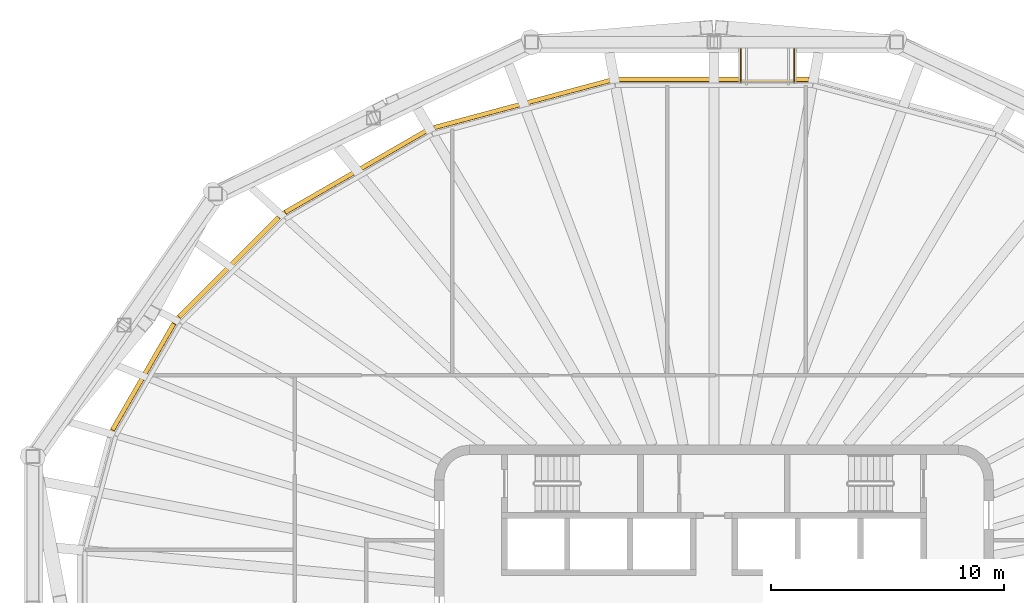
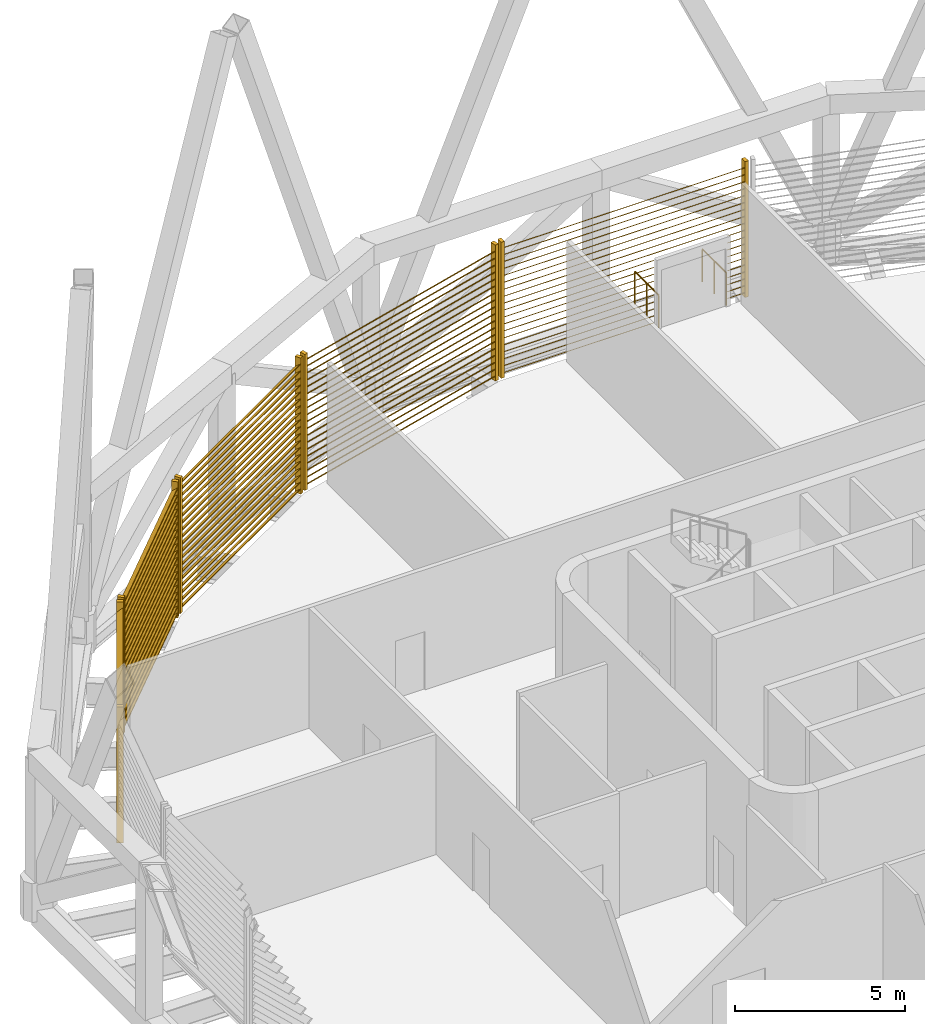
# One storey, part 15 of 16: 5 shading devices, 2 railings.
"""IFC4 building model written with IfcOpenShell, lengths in metres."""

from ifc_helpers import new_model, si_unit, direction, frame, origin, origin_2d, place, context, subcontext, project, spatial, rectangle, circle, extrude, material, type_object, element, save


model = new_model("IFC4")

# Units and contexts
model_context = context("Model", 3, precision=1e-05, world=origin(), true_north=direction((0.0, 1.0)))
body_context = subcontext(model_context, "Body", "Model", "MODEL_VIEW")
ifc_project = project(units=[si_unit("LENGTHUNIT", "METRE"), si_unit("AREAUNIT", "SQUARE_METRE"), si_unit("VOLUMEUNIT", "CUBIC_METRE"), si_unit("PLANEANGLEUNIT", "RADIAN"), si_unit("MASSUNIT", "GRAM", prefix="KILO")], contexts=[model_context])

# Site, building, storey
site_placement = place(None, origin())
site = spatial("IfcSite", under=ifc_project, at=site_placement, CompositionType="ELEMENT")
building_placement = place(site_placement, origin())
building = spatial("IfcBuilding", under=site, at=building_placement, Name="Sahrelin Media Tower", CompositionType="ELEMENT")
storey_placement = place(building_placement, frame((0.0, 0.0, 299.0)))
storey = spatial("IfcBuildingStorey", under=building, at=storey_placement, Name="L66", CompositionType="ELEMENT", Elevation=299.0)

# Railings
ifc_material_1 = material(Name="Stainless steel 316", Category="steel")
railing_type = type_object("IfcRailingType", Name="Maintenance platform guard", PredefinedType="GUARDRAIL", material=ifc_material_1)
for number, where, name in (
    (1, (3.449951171875, 22.605224609375, 0.0), "Maintenance platform guard L66-06-A"),
    (2, (1.14990234375, 22.605224609375, 0.0), "Maintenance platform guard L66-06-B"),
):
    element("IfcRailing", number, at=place(storey_placement, frame(where)), inside=storey, type_object=railing_type, Name=name, PredefinedType="GUARDRAIL", context=body_context, shape_type="SweptSolid", body=[
        extrude(circle(Radius=0.02392578125, at=origin_2d()), frame((0.0, 0.0, 1.17578125), z_axis=(0.0, 1.0, 0.0), x_axis=(-1.0, 0.0, 0.0)), (0.0, 0.0, 1.0), 1.39794921875),
        extrude(circle(Radius=0.02099609375, at=origin_2d()), origin(), (0.0, 0.0, 1.0), 1.15185546875),
        extrude(circle(Radius=0.02099609375, at=origin_2d()), frame((0.0, 0.698974609375, 0.0)), (0.0, 0.0, 1.0), 1.15185546875),
        extrude(circle(Radius=0.02099609375, at=origin_2d()), frame((0.0, 1.39794921875, 0.0)), (0.0, 0.0, 1.0), 1.15185546875),
    ])

# Shading devices
ifc_material_2 = material(Name="Champagne anodised aluminium 6063-T6", Category="aluminium")
shading_device_type = type_object("IfcShadingDeviceType", Name="Sand-rejection louvre band", PredefinedType="USERDEFINED", material=ifc_material_2)
shading_device_1_placement = place(storey_placement, frame((0.0, 22.605224609375, 0.0), z_axis=(0.0, 0.0, 1.0), x_axis=(1.0, 0.0, 0.0)))
element("IfcShadingDevice", 3, at=shading_device_1_placement, inside=storey, type_object=shading_device_type, Name="L66:LOUVRE:L66-06", ObjectType="LOUVRE", PredefinedType="USERDEFINED", context=body_context, shape_type="SweptSolid", body=[
    extrude(rectangle(XDim=0.1201171875, YDim=0.199951171875, at=origin_2d()), frame((4.15185546875, 0.10009765625, 0.050048828125), z_axis=(0.0, 0.0, 1.0), x_axis=(1.0, 0.0, 0.0)), (0.0, 0.0, 1.0), 4.8984375),
    extrude(rectangle(XDim=0.1201171875, YDim=0.199951171875, at=origin_2d()), frame((-4.15185546875, 0.10009765625, 0.050048828125), z_axis=(0.0, 0.0, 1.0), x_axis=(1.0, 0.0, 0.0)), (0.0, 0.0, 1.0), 4.8984375),
    extrude(rectangle(XDim=0.25, YDim=0.02001953125, at=origin_2d()), frame((4.091796875, 0.10009765625, 0.14990234375), z_axis=(-1.0, 0.0, 0.0), x_axis=(0.0, -0.766044443119, 0.642787609687)), (0.0, 0.0, 1.0), 0.49169921875),
    extrude(rectangle(XDim=0.25, YDim=0.02001953125, at=origin_2d()), frame((1.0, 0.10009765625, 0.14990234375), z_axis=(-1.0, 0.0, 0.0), x_axis=(0.0, -0.766044443119, 0.642787609687)), (0.0, 0.0, 1.0), 5.091796875),
    extrude(rectangle(XDim=0.25, YDim=0.02001953125, at=origin_2d()), frame((4.091796875, 0.10009765625, 0.39990234375), z_axis=(-1.0, 0.0, 0.0), x_axis=(0.0, -0.766044443119, 0.642787609687)), (0.0, 0.0, 1.0), 0.49169921875),
    extrude(rectangle(XDim=0.25, YDim=0.02001953125, at=origin_2d()), frame((1.0, 0.10009765625, 0.39990234375), z_axis=(-1.0, 0.0, 0.0), x_axis=(0.0, -0.766044443119, 0.642787609687)), (0.0, 0.0, 1.0), 5.091796875),
    extrude(rectangle(XDim=0.25, YDim=0.02001953125, at=origin_2d()), frame((4.091796875, 0.10009765625, 0.64990234375), z_axis=(-1.0, 0.0, 0.0), x_axis=(0.0, -0.766044443119, 0.642787609687)), (0.0, 0.0, 1.0), 0.49169921875),
    extrude(rectangle(XDim=0.25, YDim=0.02001953125, at=origin_2d()), frame((1.0, 0.10009765625, 0.64990234375), z_axis=(-1.0, 0.0, 0.0), x_axis=(0.0, -0.766044443119, 0.642787609687)), (0.0, 0.0, 1.0), 5.091796875),
    extrude(rectangle(XDim=0.25, YDim=0.02001953125, at=origin_2d()), frame((4.091796875, 0.10009765625, 0.89990234375), z_axis=(-1.0, 0.0, 0.0), x_axis=(0.0, -0.766044443119, 0.642787609687)), (0.0, 0.0, 1.0), 0.49169921875),
    extrude(rectangle(XDim=0.25, YDim=0.02001953125, at=origin_2d()), frame((1.0, 0.10009765625, 0.89990234375), z_axis=(-1.0, 0.0, 0.0), x_axis=(0.0, -0.766044443119, 0.642787609687)), (0.0, 0.0, 1.0), 5.091796875),
    extrude(rectangle(XDim=0.25, YDim=0.02001953125, at=origin_2d()), frame((4.091796875, 0.10009765625, 1.14990234375), z_axis=(-1.0, 0.0, 0.0), x_axis=(0.0, -0.766044443119, 0.642787609687)), (0.0, 0.0, 1.0), 0.49169921875),
    extrude(rectangle(XDim=0.25, YDim=0.02001953125, at=origin_2d()), frame((1.0, 0.10009765625, 1.14990234375), z_axis=(-1.0, 0.0, 0.0), x_axis=(0.0, -0.766044443119, 0.642787609687)), (0.0, 0.0, 1.0), 5.091796875),
    extrude(rectangle(XDim=0.25, YDim=0.02001953125, at=origin_2d()), frame((4.091796875, 0.10009765625, 1.39990234375), z_axis=(-1.0, 0.0, 0.0), x_axis=(0.0, -0.766044443119, 0.642787609687)), (0.0, 0.0, 1.0), 0.49169921875),
    extrude(rectangle(XDim=0.25, YDim=0.02001953125, at=origin_2d()), frame((1.0, 0.10009765625, 1.39990234375), z_axis=(-1.0, 0.0, 0.0), x_axis=(0.0, -0.766044443119, 0.642787609687)), (0.0, 0.0, 1.0), 5.091796875),
    extrude(rectangle(XDim=0.25, YDim=0.02001953125, at=origin_2d()), frame((4.091796875, 0.10009765625, 1.64990234375), z_axis=(-1.0, 0.0, 0.0), x_axis=(0.0, -0.766044443119, 0.642787609687)), (0.0, 0.0, 1.0), 0.49169921875),
    extrude(rectangle(XDim=0.25, YDim=0.02001953125, at=origin_2d()), frame((1.0, 0.10009765625, 1.64990234375), z_axis=(-1.0, 0.0, 0.0), x_axis=(0.0, -0.766044443119, 0.642787609687)), (0.0, 0.0, 1.0), 5.091796875),
    extrude(rectangle(XDim=0.25, YDim=0.02001953125, at=origin_2d()), frame((4.091796875, 0.10009765625, 1.89990234375), z_axis=(-1.0, 0.0, 0.0), x_axis=(0.0, -0.766044443119, 0.642787609687)), (0.0, 0.0, 1.0), 0.49169921875),
    extrude(rectangle(XDim=0.25, YDim=0.02001953125, at=origin_2d()), frame((1.0, 0.10009765625, 1.89990234375), z_axis=(-1.0, 0.0, 0.0), x_axis=(0.0, -0.766044443119, 0.642787609687)), (0.0, 0.0, 1.0), 5.091796875),
    extrude(rectangle(XDim=0.25, YDim=0.02001953125, at=origin_2d()), frame((4.091796875, 0.10009765625, 2.14990234375), z_axis=(-1.0, 0.0, 0.0), x_axis=(0.0, -0.766044443119, 0.642787609687)), (0.0, 0.0, 1.0), 0.49169921875),
    extrude(rectangle(XDim=0.25, YDim=0.02001953125, at=origin_2d()), frame((1.0, 0.10009765625, 2.14990234375), z_axis=(-1.0, 0.0, 0.0), x_axis=(0.0, -0.766044443119, 0.642787609687)), (0.0, 0.0, 1.0), 5.091796875),
    extrude(rectangle(XDim=0.25, YDim=0.02001953125, at=origin_2d()), frame((4.091796875, 0.10009765625, 2.39990234375), z_axis=(-1.0, 0.0, 0.0), x_axis=(0.0, -0.766044443119, 0.642787609687)), (0.0, 0.0, 1.0), 0.49169921875),
    extrude(rectangle(XDim=0.25, YDim=0.02001953125, at=origin_2d()), frame((1.0, 0.10009765625, 2.39990234375), z_axis=(-1.0, 0.0, 0.0), x_axis=(0.0, -0.766044443119, 0.642787609687)), (0.0, 0.0, 1.0), 5.091796875),
    extrude(rectangle(XDim=0.25, YDim=0.02001953125, at=origin_2d()), frame((4.091796875, 0.10009765625, 2.64990234375), z_axis=(-1.0, 0.0, 0.0), x_axis=(0.0, -0.766044443119, 0.642787609687)), (0.0, 0.0, 1.0), 8.18359375),
    extrude(rectangle(XDim=0.25, YDim=0.02001953125, at=origin_2d()), frame((4.091796875, 0.10009765625, 2.89990234375), z_axis=(-1.0, 0.0, 0.0), x_axis=(0.0, -0.766044443119, 0.642787609687)), (0.0, 0.0, 1.0), 8.18359375),
    extrude(rectangle(XDim=0.25, YDim=0.02001953125, at=origin_2d()), frame((4.091796875, 0.10009765625, 3.14990234375), z_axis=(-1.0, 0.0, 0.0), x_axis=(0.0, -0.766044443119, 0.642787609687)), (0.0, 0.0, 1.0), 8.18359375),
    extrude(rectangle(XDim=0.25, YDim=0.02001953125, at=origin_2d()), frame((4.091796875, 0.10009765625, 3.39990234375), z_axis=(-1.0, 0.0, 0.0), x_axis=(0.0, -0.766044443119, 0.642787609687)), (0.0, 0.0, 1.0), 8.18359375),
    extrude(rectangle(XDim=0.25, YDim=0.02001953125, at=origin_2d()), frame((4.091796875, 0.10009765625, 3.64990234375), z_axis=(-1.0, 0.0, 0.0), x_axis=(0.0, -0.766044443119, 0.642787609687)), (0.0, 0.0, 1.0), 8.18359375),
    extrude(rectangle(XDim=0.25, YDim=0.02001953125, at=origin_2d()), frame((4.091796875, 0.10009765625, 3.89990234375), z_axis=(-1.0, 0.0, 0.0), x_axis=(0.0, -0.766044443119, 0.642787609687)), (0.0, 0.0, 1.0), 8.18359375),
    extrude(rectangle(XDim=0.25, YDim=0.02001953125, at=origin_2d()), frame((4.091796875, 0.10009765625, 4.14990234375), z_axis=(-1.0, 0.0, 0.0), x_axis=(0.0, -0.766044443119, 0.642787609687)), (0.0, 0.0, 1.0), 8.18359375),
    extrude(rectangle(XDim=0.25, YDim=0.02001953125, at=origin_2d()), frame((4.091796875, 0.10009765625, 4.39990234375), z_axis=(-1.0, 0.0, 0.0), x_axis=(0.0, -0.766044443119, 0.642787609687)), (0.0, 0.0, 1.0), 8.18359375),
    extrude(rectangle(XDim=0.25, YDim=0.02001953125, at=origin_2d()), frame((4.091796875, 0.10009765625, 4.64990234375), z_axis=(-1.0, 0.0, 0.0), x_axis=(0.0, -0.766044443119, 0.642787609687)), (0.0, 0.0, 1.0), 8.18359375),
])
shading_device_2_placement = place(storey_placement, frame((-8.210205078125, 21.54736328125, 0.0), z_axis=(0.0, 0.0, 1.0), x_axis=(0.965928857556, 0.258807731996, 0.0)))
element("IfcShadingDevice", 4, at=shading_device_2_placement, inside=storey, type_object=shading_device_type, Name="L66:LOUVRE:L66-07", ObjectType="LOUVRE", PredefinedType="USERDEFINED", context=body_context, shape_type="SweptSolid", body=[
    extrude(rectangle(XDim=0.1201171875, YDim=0.199951171875, at=origin_2d()), frame((3.9775390625, 0.10009765625, 0.050048828125), z_axis=(0.0, 0.0, 1.0), x_axis=(1.0, 0.0, 0.0)), (0.0, 0.0, 1.0), 4.8984375),
    extrude(rectangle(XDim=0.1201171875, YDim=0.199951171875, at=origin_2d()), frame((-3.9775390625, 0.10009765625, 0.050048828125), z_axis=(0.0, 0.0, 1.0), x_axis=(1.0, 0.0, 0.0)), (0.0, 0.0, 1.0), 4.8984375),
    extrude(rectangle(XDim=0.25, YDim=0.02001953125, at=origin_2d()), frame((3.91748046875, 0.10009765625, 0.14990234375), z_axis=(-1.0, 0.0, 0.0), x_axis=(0.0, -0.766044443119, 0.642787609687)), (0.0, 0.0, 1.0), 7.8349609375),
    extrude(rectangle(XDim=0.25, YDim=0.02001953125, at=origin_2d()), frame((3.91748046875, 0.10009765625, 0.39990234375), z_axis=(-1.0, 0.0, 0.0), x_axis=(0.0, -0.766044443119, 0.642787609687)), (0.0, 0.0, 1.0), 7.8349609375),
    extrude(rectangle(XDim=0.25, YDim=0.02001953125, at=origin_2d()), frame((3.91748046875, 0.10009765625, 0.64990234375), z_axis=(-1.0, 0.0, 0.0), x_axis=(0.0, -0.766044443119, 0.642787609687)), (0.0, 0.0, 1.0), 7.8349609375),
    extrude(rectangle(XDim=0.25, YDim=0.02001953125, at=origin_2d()), frame((3.91748046875, 0.10009765625, 0.89990234375), z_axis=(-1.0, 0.0, 0.0), x_axis=(0.0, -0.766044443119, 0.642787609687)), (0.0, 0.0, 1.0), 7.8349609375),
    extrude(rectangle(XDim=0.25, YDim=0.02001953125, at=origin_2d()), frame((3.91748046875, 0.10009765625, 1.14990234375), z_axis=(-1.0, 0.0, 0.0), x_axis=(0.0, -0.766044443119, 0.642787609687)), (0.0, 0.0, 1.0), 7.8349609375),
    extrude(rectangle(XDim=0.25, YDim=0.02001953125, at=origin_2d()), frame((3.91748046875, 0.10009765625, 1.39990234375), z_axis=(-1.0, 0.0, 0.0), x_axis=(0.0, -0.766044443119, 0.642787609687)), (0.0, 0.0, 1.0), 7.8349609375),
    extrude(rectangle(XDim=0.25, YDim=0.02001953125, at=origin_2d()), frame((3.91748046875, 0.10009765625, 1.64990234375), z_axis=(-1.0, 0.0, 0.0), x_axis=(0.0, -0.766044443119, 0.642787609687)), (0.0, 0.0, 1.0), 7.8349609375),
    extrude(rectangle(XDim=0.25, YDim=0.02001953125, at=origin_2d()), frame((3.91748046875, 0.10009765625, 1.89990234375), z_axis=(-1.0, 0.0, 0.0), x_axis=(0.0, -0.766044443119, 0.642787609687)), (0.0, 0.0, 1.0), 7.8349609375),
    extrude(rectangle(XDim=0.25, YDim=0.02001953125, at=origin_2d()), frame((3.91748046875, 0.10009765625, 2.14990234375), z_axis=(-1.0, 0.0, 0.0), x_axis=(0.0, -0.766044443119, 0.642787609687)), (0.0, 0.0, 1.0), 7.8349609375),
    extrude(rectangle(XDim=0.25, YDim=0.02001953125, at=origin_2d()), frame((3.91748046875, 0.10009765625, 2.39990234375), z_axis=(-1.0, 0.0, 0.0), x_axis=(0.0, -0.766044443119, 0.642787609687)), (0.0, 0.0, 1.0), 7.8349609375),
    extrude(rectangle(XDim=0.25, YDim=0.02001953125, at=origin_2d()), frame((3.91748046875, 0.10009765625, 2.64990234375), z_axis=(-1.0, 0.0, 0.0), x_axis=(0.0, -0.766044443119, 0.642787609687)), (0.0, 0.0, 1.0), 7.8349609375),
    extrude(rectangle(XDim=0.25, YDim=0.02001953125, at=origin_2d()), frame((3.91748046875, 0.10009765625, 2.89990234375), z_axis=(-1.0, 0.0, 0.0), x_axis=(0.0, -0.766044443119, 0.642787609687)), (0.0, 0.0, 1.0), 7.8349609375),
    extrude(rectangle(XDim=0.25, YDim=0.02001953125, at=origin_2d()), frame((3.91748046875, 0.10009765625, 3.14990234375), z_axis=(-1.0, 0.0, 0.0), x_axis=(0.0, -0.766044443119, 0.642787609687)), (0.0, 0.0, 1.0), 7.8349609375),
    extrude(rectangle(XDim=0.25, YDim=0.02001953125, at=origin_2d()), frame((3.91748046875, 0.10009765625, 3.39990234375), z_axis=(-1.0, 0.0, 0.0), x_axis=(0.0, -0.766044443119, 0.642787609687)), (0.0, 0.0, 1.0), 7.8349609375),
    extrude(rectangle(XDim=0.25, YDim=0.02001953125, at=origin_2d()), frame((3.91748046875, 0.10009765625, 3.64990234375), z_axis=(-1.0, 0.0, 0.0), x_axis=(0.0, -0.766044443119, 0.642787609687)), (0.0, 0.0, 1.0), 7.8349609375),
    extrude(rectangle(XDim=0.25, YDim=0.02001953125, at=origin_2d()), frame((3.91748046875, 0.10009765625, 3.89990234375), z_axis=(-1.0, 0.0, 0.0), x_axis=(0.0, -0.766044443119, 0.642787609687)), (0.0, 0.0, 1.0), 7.8349609375),
    extrude(rectangle(XDim=0.25, YDim=0.02001953125, at=origin_2d()), frame((3.91748046875, 0.10009765625, 4.14990234375), z_axis=(-1.0, 0.0, 0.0), x_axis=(0.0, -0.766044443119, 0.642787609687)), (0.0, 0.0, 1.0), 7.8349609375),
    extrude(rectangle(XDim=0.25, YDim=0.02001953125, at=origin_2d()), frame((3.91748046875, 0.10009765625, 4.39990234375), z_axis=(-1.0, 0.0, 0.0), x_axis=(0.0, -0.766044443119, 0.642787609687)), (0.0, 0.0, 1.0), 7.8349609375),
    extrude(rectangle(XDim=0.25, YDim=0.02001953125, at=origin_2d()), frame((3.91748046875, 0.10009765625, 4.64990234375), z_axis=(-1.0, 0.0, 0.0), x_axis=(0.0, -0.766044443119, 0.642787609687)), (0.0, 0.0, 1.0), 7.8349609375),
])
shading_device_3_placement = place(storey_placement, frame((-15.332275390625, 18.656982421875, 0.0), z_axis=(0.0, 0.0, 1.0), x_axis=(0.866019052629, 0.500011000363, 0.0)))
element("IfcShadingDevice", 5, at=shading_device_3_placement, inside=storey, type_object=shading_device_type, Name="L66:LOUVRE:L66-08", ObjectType="LOUVRE", PredefinedType="USERDEFINED", context=body_context, shape_type="SweptSolid", body=[
    extrude(rectangle(XDim=0.1201171875, YDim=0.199951171875, at=origin_2d()), frame((3.5546875, 0.10009765625, 0.050048828125), z_axis=(0.0, 0.0, 1.0), x_axis=(1.0, 0.0, 0.0)), (0.0, 0.0, 1.0), 4.8984375),
    extrude(rectangle(XDim=0.1201171875, YDim=0.199951171875, at=origin_2d()), frame((-3.5546875, 0.10009765625, 0.050048828125), z_axis=(0.0, 0.0, 1.0), x_axis=(1.0, 0.0, 0.0)), (0.0, 0.0, 1.0), 4.8984375),
    extrude(rectangle(XDim=0.25, YDim=0.02001953125, at=origin_2d()), frame((3.49462890625, 0.10009765625, 0.14990234375), z_axis=(-1.0, 0.0, 0.0), x_axis=(0.0, -0.766044443119, 0.642787609687)), (0.0, 0.0, 1.0), 6.9892578125),
    extrude(rectangle(XDim=0.25, YDim=0.02001953125, at=origin_2d()), frame((3.49462890625, 0.10009765625, 0.39990234375), z_axis=(-1.0, 0.0, 0.0), x_axis=(0.0, -0.766044443119, 0.642787609687)), (0.0, 0.0, 1.0), 6.9892578125),
    extrude(rectangle(XDim=0.25, YDim=0.02001953125, at=origin_2d()), frame((3.49462890625, 0.10009765625, 0.64990234375), z_axis=(-1.0, 0.0, 0.0), x_axis=(0.0, -0.766044443119, 0.642787609687)), (0.0, 0.0, 1.0), 6.9892578125),
    extrude(rectangle(XDim=0.25, YDim=0.02001953125, at=origin_2d()), frame((3.49462890625, 0.10009765625, 0.89990234375), z_axis=(-1.0, 0.0, 0.0), x_axis=(0.0, -0.766044443119, 0.642787609687)), (0.0, 0.0, 1.0), 6.9892578125),
    extrude(rectangle(XDim=0.25, YDim=0.02001953125, at=origin_2d()), frame((3.49462890625, 0.10009765625, 1.14990234375), z_axis=(-1.0, 0.0, 0.0), x_axis=(0.0, -0.766044443119, 0.642787609687)), (0.0, 0.0, 1.0), 6.9892578125),
    extrude(rectangle(XDim=0.25, YDim=0.02001953125, at=origin_2d()), frame((3.49462890625, 0.10009765625, 1.39990234375), z_axis=(-1.0, 0.0, 0.0), x_axis=(0.0, -0.766044443119, 0.642787609687)), (0.0, 0.0, 1.0), 6.9892578125),
    extrude(rectangle(XDim=0.25, YDim=0.02001953125, at=origin_2d()), frame((3.49462890625, 0.10009765625, 1.64990234375), z_axis=(-1.0, 0.0, 0.0), x_axis=(0.0, -0.766044443119, 0.642787609687)), (0.0, 0.0, 1.0), 6.9892578125),
    extrude(rectangle(XDim=0.25, YDim=0.02001953125, at=origin_2d()), frame((3.49462890625, 0.10009765625, 1.89990234375), z_axis=(-1.0, 0.0, 0.0), x_axis=(0.0, -0.766044443119, 0.642787609687)), (0.0, 0.0, 1.0), 6.9892578125),
    extrude(rectangle(XDim=0.25, YDim=0.02001953125, at=origin_2d()), frame((3.49462890625, 0.10009765625, 2.14990234375), z_axis=(-1.0, 0.0, 0.0), x_axis=(0.0, -0.766044443119, 0.642787609687)), (0.0, 0.0, 1.0), 6.9892578125),
    extrude(rectangle(XDim=0.25, YDim=0.02001953125, at=origin_2d()), frame((3.49462890625, 0.10009765625, 2.39990234375), z_axis=(-1.0, 0.0, 0.0), x_axis=(0.0, -0.766044443119, 0.642787609687)), (0.0, 0.0, 1.0), 6.9892578125),
    extrude(rectangle(XDim=0.25, YDim=0.02001953125, at=origin_2d()), frame((3.49462890625, 0.10009765625, 2.64990234375), z_axis=(-1.0, 0.0, 0.0), x_axis=(0.0, -0.766044443119, 0.642787609687)), (0.0, 0.0, 1.0), 6.9892578125),
    extrude(rectangle(XDim=0.25, YDim=0.02001953125, at=origin_2d()), frame((3.49462890625, 0.10009765625, 2.89990234375), z_axis=(-1.0, 0.0, 0.0), x_axis=(0.0, -0.766044443119, 0.642787609687)), (0.0, 0.0, 1.0), 6.9892578125),
    extrude(rectangle(XDim=0.25, YDim=0.02001953125, at=origin_2d()), frame((3.49462890625, 0.10009765625, 3.14990234375), z_axis=(-1.0, 0.0, 0.0), x_axis=(0.0, -0.766044443119, 0.642787609687)), (0.0, 0.0, 1.0), 6.9892578125),
    extrude(rectangle(XDim=0.25, YDim=0.02001953125, at=origin_2d()), frame((3.49462890625, 0.10009765625, 3.39990234375), z_axis=(-1.0, 0.0, 0.0), x_axis=(0.0, -0.766044443119, 0.642787609687)), (0.0, 0.0, 1.0), 6.9892578125),
    extrude(rectangle(XDim=0.25, YDim=0.02001953125, at=origin_2d()), frame((3.49462890625, 0.10009765625, 3.64990234375), z_axis=(-1.0, 0.0, 0.0), x_axis=(0.0, -0.766044443119, 0.642787609687)), (0.0, 0.0, 1.0), 6.9892578125),
    extrude(rectangle(XDim=0.25, YDim=0.02001953125, at=origin_2d()), frame((3.49462890625, 0.10009765625, 3.89990234375), z_axis=(-1.0, 0.0, 0.0), x_axis=(0.0, -0.766044443119, 0.642787609687)), (0.0, 0.0, 1.0), 6.9892578125),
    extrude(rectangle(XDim=0.25, YDim=0.02001953125, at=origin_2d()), frame((3.49462890625, 0.10009765625, 4.14990234375), z_axis=(-1.0, 0.0, 0.0), x_axis=(0.0, -0.766044443119, 0.642787609687)), (0.0, 0.0, 1.0), 6.9892578125),
    extrude(rectangle(XDim=0.25, YDim=0.02001953125, at=origin_2d()), frame((3.49462890625, 0.10009765625, 4.39990234375), z_axis=(-1.0, 0.0, 0.0), x_axis=(0.0, -0.766044443119, 0.642787609687)), (0.0, 0.0, 1.0), 6.9892578125),
    extrude(rectangle(XDim=0.25, YDim=0.02001953125, at=origin_2d()), frame((3.49462890625, 0.10009765625, 4.64990234375), z_axis=(-1.0, 0.0, 0.0), x_axis=(0.0, -0.766044443119, 0.642787609687)), (0.0, 0.0, 1.0), 6.9892578125),
])
shading_device_4_placement = place(storey_placement, frame((-20.761474609375, 14.5693359375, 0.0), z_axis=(0.0, 0.0, 1.0), x_axis=(0.707106781187, 0.707106781187, 0.0)))
element("IfcShadingDevice", 6, at=shading_device_4_placement, inside=storey, type_object=shading_device_type, Name="L66:LOUVRE:L66-09", ObjectType="LOUVRE", PredefinedType="USERDEFINED", context=body_context, shape_type="SweptSolid", body=[
    extrude(rectangle(XDim=0.1201171875, YDim=0.199951171875, at=origin_2d()), frame((3.07958984375, 0.10009765625, 0.050048828125), z_axis=(0.0, 0.0, 1.0), x_axis=(1.0, 0.0, 0.0)), (0.0, 0.0, 1.0), 4.8984375),
    extrude(rectangle(XDim=0.1201171875, YDim=0.199951171875, at=origin_2d()), frame((-3.07958984375, 0.10009765625, 0.050048828125), z_axis=(0.0, 0.0, 1.0), x_axis=(1.0, 0.0, 0.0)), (0.0, 0.0, 1.0), 4.8984375),
    extrude(rectangle(XDim=0.25, YDim=0.02001953125, at=origin_2d()), frame((3.019775390625, 0.10009765625, 0.14990234375), z_axis=(-1.0, 0.0, 0.0), x_axis=(0.0, -0.766044443119, 0.642787609687)), (0.0, 0.0, 1.0), 6.03955078125),
    extrude(rectangle(XDim=0.25, YDim=0.02001953125, at=origin_2d()), frame((3.019775390625, 0.10009765625, 0.39990234375), z_axis=(-1.0, 0.0, 0.0), x_axis=(0.0, -0.766044443119, 0.642787609687)), (0.0, 0.0, 1.0), 6.03955078125),
    extrude(rectangle(XDim=0.25, YDim=0.02001953125, at=origin_2d()), frame((3.019775390625, 0.10009765625, 0.64990234375), z_axis=(-1.0, 0.0, 0.0), x_axis=(0.0, -0.766044443119, 0.642787609687)), (0.0, 0.0, 1.0), 6.03955078125),
    extrude(rectangle(XDim=0.25, YDim=0.02001953125, at=origin_2d()), frame((3.019775390625, 0.10009765625, 0.89990234375), z_axis=(-1.0, 0.0, 0.0), x_axis=(0.0, -0.766044443119, 0.642787609687)), (0.0, 0.0, 1.0), 6.03955078125),
    extrude(rectangle(XDim=0.25, YDim=0.02001953125, at=origin_2d()), frame((3.019775390625, 0.10009765625, 1.14990234375), z_axis=(-1.0, 0.0, 0.0), x_axis=(0.0, -0.766044443119, 0.642787609687)), (0.0, 0.0, 1.0), 6.03955078125),
    extrude(rectangle(XDim=0.25, YDim=0.02001953125, at=origin_2d()), frame((3.019775390625, 0.10009765625, 1.39990234375), z_axis=(-1.0, 0.0, 0.0), x_axis=(0.0, -0.766044443119, 0.642787609687)), (0.0, 0.0, 1.0), 6.03955078125),
    extrude(rectangle(XDim=0.25, YDim=0.02001953125, at=origin_2d()), frame((3.019775390625, 0.10009765625, 1.64990234375), z_axis=(-1.0, 0.0, 0.0), x_axis=(0.0, -0.766044443119, 0.642787609687)), (0.0, 0.0, 1.0), 6.03955078125),
    extrude(rectangle(XDim=0.25, YDim=0.02001953125, at=origin_2d()), frame((3.019775390625, 0.10009765625, 1.89990234375), z_axis=(-1.0, 0.0, 0.0), x_axis=(0.0, -0.766044443119, 0.642787609687)), (0.0, 0.0, 1.0), 6.03955078125),
    extrude(rectangle(XDim=0.25, YDim=0.02001953125, at=origin_2d()), frame((3.019775390625, 0.10009765625, 2.14990234375), z_axis=(-1.0, 0.0, 0.0), x_axis=(0.0, -0.766044443119, 0.642787609687)), (0.0, 0.0, 1.0), 6.03955078125),
    extrude(rectangle(XDim=0.25, YDim=0.02001953125, at=origin_2d()), frame((3.019775390625, 0.10009765625, 2.39990234375), z_axis=(-1.0, 0.0, 0.0), x_axis=(0.0, -0.766044443119, 0.642787609687)), (0.0, 0.0, 1.0), 6.03955078125),
    extrude(rectangle(XDim=0.25, YDim=0.02001953125, at=origin_2d()), frame((3.019775390625, 0.10009765625, 2.64990234375), z_axis=(-1.0, 0.0, 0.0), x_axis=(0.0, -0.766044443119, 0.642787609687)), (0.0, 0.0, 1.0), 6.03955078125),
    extrude(rectangle(XDim=0.25, YDim=0.02001953125, at=origin_2d()), frame((3.019775390625, 0.10009765625, 2.89990234375), z_axis=(-1.0, 0.0, 0.0), x_axis=(0.0, -0.766044443119, 0.642787609687)), (0.0, 0.0, 1.0), 6.03955078125),
    extrude(rectangle(XDim=0.25, YDim=0.02001953125, at=origin_2d()), frame((3.019775390625, 0.10009765625, 3.14990234375), z_axis=(-1.0, 0.0, 0.0), x_axis=(0.0, -0.766044443119, 0.642787609687)), (0.0, 0.0, 1.0), 6.03955078125),
    extrude(rectangle(XDim=0.25, YDim=0.02001953125, at=origin_2d()), frame((3.019775390625, 0.10009765625, 3.39990234375), z_axis=(-1.0, 0.0, 0.0), x_axis=(0.0, -0.766044443119, 0.642787609687)), (0.0, 0.0, 1.0), 6.03955078125),
    extrude(rectangle(XDim=0.25, YDim=0.02001953125, at=origin_2d()), frame((3.019775390625, 0.10009765625, 3.64990234375), z_axis=(-1.0, 0.0, 0.0), x_axis=(0.0, -0.766044443119, 0.642787609687)), (0.0, 0.0, 1.0), 6.03955078125),
    extrude(rectangle(XDim=0.25, YDim=0.02001953125, at=origin_2d()), frame((3.019775390625, 0.10009765625, 3.89990234375), z_axis=(-1.0, 0.0, 0.0), x_axis=(0.0, -0.766044443119, 0.642787609687)), (0.0, 0.0, 1.0), 6.03955078125),
    extrude(rectangle(XDim=0.25, YDim=0.02001953125, at=origin_2d()), frame((3.019775390625, 0.10009765625, 4.14990234375), z_axis=(-1.0, 0.0, 0.0), x_axis=(0.0, -0.766044443119, 0.642787609687)), (0.0, 0.0, 1.0), 6.03955078125),
    extrude(rectangle(XDim=0.25, YDim=0.02001953125, at=origin_2d()), frame((3.019775390625, 0.10009765625, 4.39990234375), z_axis=(-1.0, 0.0, 0.0), x_axis=(0.0, -0.766044443119, 0.642787609687)), (0.0, 0.0, 1.0), 6.03955078125),
    extrude(rectangle(XDim=0.25, YDim=0.02001953125, at=origin_2d()), frame((3.019775390625, 0.10009765625, 4.64990234375), z_axis=(-1.0, 0.0, 0.0), x_axis=(0.0, -0.766044443119, 0.642787609687)), (0.0, 0.0, 1.0), 6.03955078125),
])
shading_device_5_placement = place(storey_placement, frame((-24.419677734375, 9.884033203125, 0.0), z_axis=(0.0, 0.0, 1.0), x_axis=(0.500011000363, 0.866019052629, 0.0)))
element("IfcShadingDevice", 7, at=shading_device_5_placement, inside=storey, type_object=shading_device_type, Name="L66:LOUVRE:L66-10", ObjectType="LOUVRE", PredefinedType="USERDEFINED", context=body_context, shape_type="SweptSolid", body=[
    extrude(rectangle(XDim=0.1201171875, YDim=0.199951171875, at=origin_2d()), frame((2.69580078125, 0.10009765625, 0.050048828125), z_axis=(0.0, 0.0, 1.0), x_axis=(1.0, 0.0, 0.0)), (0.0, 0.0, 1.0), 4.8984375),
    extrude(rectangle(XDim=0.1201171875, YDim=0.199951171875, at=origin_2d()), frame((-2.69580078125, 0.10009765625, 0.050048828125), z_axis=(0.0, 0.0, 1.0), x_axis=(1.0, 0.0, 0.0)), (0.0, 0.0, 1.0), 4.8984375),
    extrude(rectangle(XDim=0.25, YDim=0.02001953125, at=origin_2d()), frame((2.6357421875, 0.10009765625, 0.14990234375), z_axis=(-1.0, 0.0, 0.0), x_axis=(0.0, -0.766044443119, 0.642787609687)), (0.0, 0.0, 1.0), 5.271484375),
    extrude(rectangle(XDim=0.25, YDim=0.02001953125, at=origin_2d()), frame((2.6357421875, 0.10009765625, 0.39990234375), z_axis=(-1.0, 0.0, 0.0), x_axis=(0.0, -0.766044443119, 0.642787609687)), (0.0, 0.0, 1.0), 5.271484375),
    extrude(rectangle(XDim=0.25, YDim=0.02001953125, at=origin_2d()), frame((2.6357421875, 0.10009765625, 0.64990234375), z_axis=(-1.0, 0.0, 0.0), x_axis=(0.0, -0.766044443119, 0.642787609687)), (0.0, 0.0, 1.0), 5.271484375),
    extrude(rectangle(XDim=0.25, YDim=0.02001953125, at=origin_2d()), frame((2.6357421875, 0.10009765625, 0.89990234375), z_axis=(-1.0, 0.0, 0.0), x_axis=(0.0, -0.766044443119, 0.642787609687)), (0.0, 0.0, 1.0), 5.271484375),
    extrude(rectangle(XDim=0.25, YDim=0.02001953125, at=origin_2d()), frame((2.6357421875, 0.10009765625, 1.14990234375), z_axis=(-1.0, 0.0, 0.0), x_axis=(0.0, -0.766044443119, 0.642787609687)), (0.0, 0.0, 1.0), 5.271484375),
    extrude(rectangle(XDim=0.25, YDim=0.02001953125, at=origin_2d()), frame((2.6357421875, 0.10009765625, 1.39990234375), z_axis=(-1.0, 0.0, 0.0), x_axis=(0.0, -0.766044443119, 0.642787609687)), (0.0, 0.0, 1.0), 5.271484375),
    extrude(rectangle(XDim=0.25, YDim=0.02001953125, at=origin_2d()), frame((2.6357421875, 0.10009765625, 1.64990234375), z_axis=(-1.0, 0.0, 0.0), x_axis=(0.0, -0.766044443119, 0.642787609687)), (0.0, 0.0, 1.0), 5.271484375),
    extrude(rectangle(XDim=0.25, YDim=0.02001953125, at=origin_2d()), frame((2.6357421875, 0.10009765625, 1.89990234375), z_axis=(-1.0, 0.0, 0.0), x_axis=(0.0, -0.766044443119, 0.642787609687)), (0.0, 0.0, 1.0), 5.271484375),
    extrude(rectangle(XDim=0.25, YDim=0.02001953125, at=origin_2d()), frame((2.6357421875, 0.10009765625, 2.14990234375), z_axis=(-1.0, 0.0, 0.0), x_axis=(0.0, -0.766044443119, 0.642787609687)), (0.0, 0.0, 1.0), 5.271484375),
    extrude(rectangle(XDim=0.25, YDim=0.02001953125, at=origin_2d()), frame((2.6357421875, 0.10009765625, 2.39990234375), z_axis=(-1.0, 0.0, 0.0), x_axis=(0.0, -0.766044443119, 0.642787609687)), (0.0, 0.0, 1.0), 5.271484375),
    extrude(rectangle(XDim=0.25, YDim=0.02001953125, at=origin_2d()), frame((2.6357421875, 0.10009765625, 2.64990234375), z_axis=(-1.0, 0.0, 0.0), x_axis=(0.0, -0.766044443119, 0.642787609687)), (0.0, 0.0, 1.0), 5.271484375),
    extrude(rectangle(XDim=0.25, YDim=0.02001953125, at=origin_2d()), frame((2.6357421875, 0.10009765625, 2.89990234375), z_axis=(-1.0, 0.0, 0.0), x_axis=(0.0, -0.766044443119, 0.642787609687)), (0.0, 0.0, 1.0), 5.271484375),
    extrude(rectangle(XDim=0.25, YDim=0.02001953125, at=origin_2d()), frame((2.6357421875, 0.10009765625, 3.14990234375), z_axis=(-1.0, 0.0, 0.0), x_axis=(0.0, -0.766044443119, 0.642787609687)), (0.0, 0.0, 1.0), 5.271484375),
    extrude(rectangle(XDim=0.25, YDim=0.02001953125, at=origin_2d()), frame((2.6357421875, 0.10009765625, 3.39990234375), z_axis=(-1.0, 0.0, 0.0), x_axis=(0.0, -0.766044443119, 0.642787609687)), (0.0, 0.0, 1.0), 5.271484375),
    extrude(rectangle(XDim=0.25, YDim=0.02001953125, at=origin_2d()), frame((2.6357421875, 0.10009765625, 3.64990234375), z_axis=(-1.0, 0.0, 0.0), x_axis=(0.0, -0.766044443119, 0.642787609687)), (0.0, 0.0, 1.0), 5.271484375),
    extrude(rectangle(XDim=0.25, YDim=0.02001953125, at=origin_2d()), frame((2.6357421875, 0.10009765625, 3.89990234375), z_axis=(-1.0, 0.0, 0.0), x_axis=(0.0, -0.766044443119, 0.642787609687)), (0.0, 0.0, 1.0), 5.271484375),
    extrude(rectangle(XDim=0.25, YDim=0.02001953125, at=origin_2d()), frame((2.6357421875, 0.10009765625, 4.14990234375), z_axis=(-1.0, 0.0, 0.0), x_axis=(0.0, -0.766044443119, 0.642787609687)), (0.0, 0.0, 1.0), 5.271484375),
    extrude(rectangle(XDim=0.25, YDim=0.02001953125, at=origin_2d()), frame((2.6357421875, 0.10009765625, 4.39990234375), z_axis=(-1.0, 0.0, 0.0), x_axis=(0.0, -0.766044443119, 0.642787609687)), (0.0, 0.0, 1.0), 5.271484375),
    extrude(rectangle(XDim=0.25, YDim=0.02001953125, at=origin_2d()), frame((2.6357421875, 0.10009765625, 4.64990234375), z_axis=(-1.0, 0.0, 0.0), x_axis=(0.0, -0.766044443119, 0.642787609687)), (0.0, 0.0, 1.0), 5.271484375),
])

save(model, "model.ifc")
